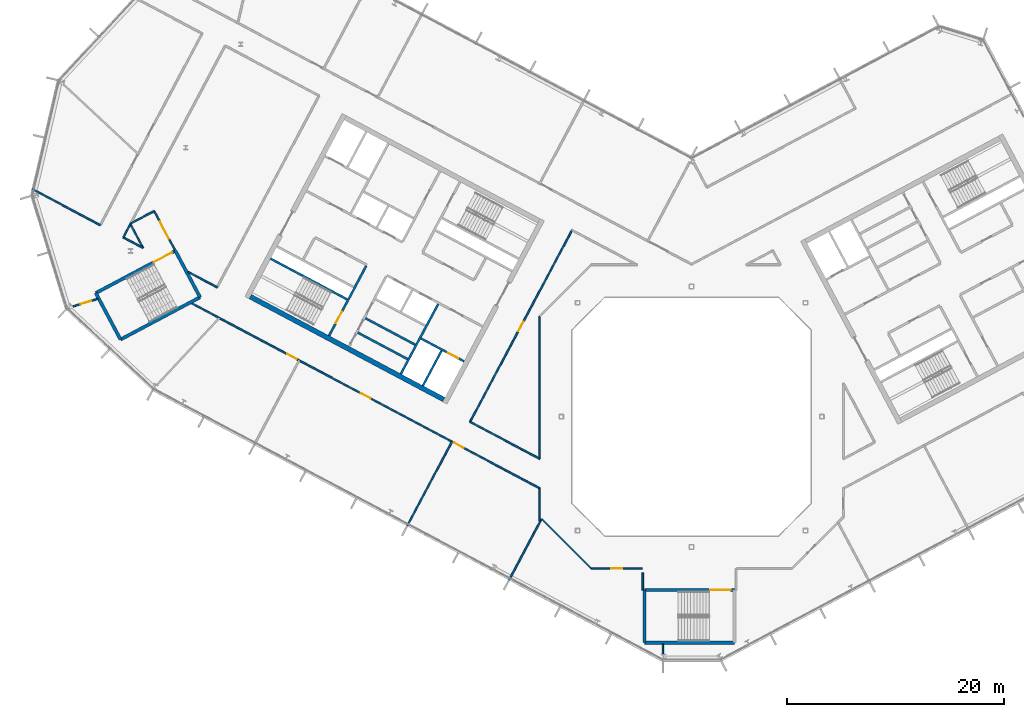
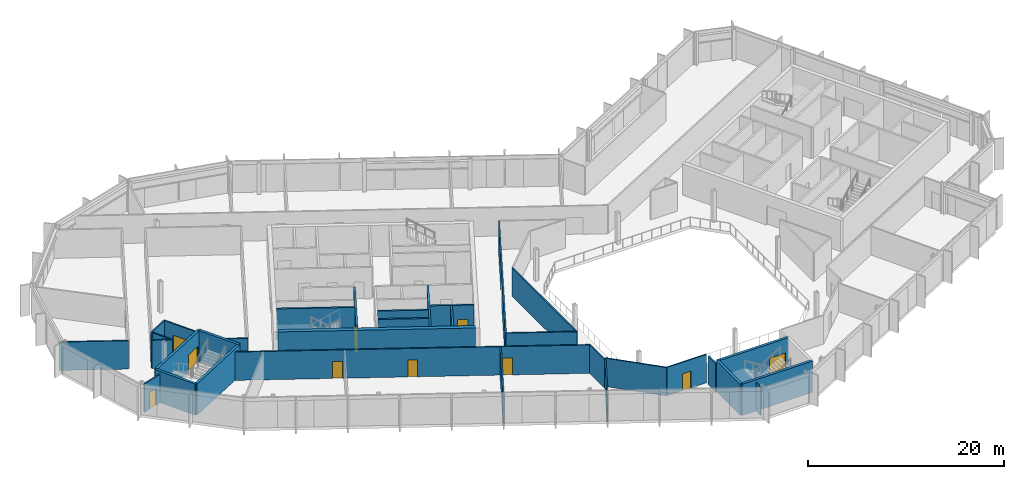
# One storey, part 13 of 26: 34 walls, 11 doors, 11 openings.
"""IFC4 building model written with IfcOpenShell, lengths in metres."""

from ifc_helpers import new_model, si_unit, direction, frame, frame_2d, origin, place, context, subcontext, project, spatial, rectangle, extrude, material, layer, layer_set, type_object, element, fill, save


model = new_model("IFC4")

# Units and contexts
model_context = context("Model", 3, precision=1e-05, world=origin(), true_north=direction((0.0, 1.0)))
body_context = subcontext(model_context, "Body", "Model", "MODEL_VIEW")
ifc_project = project(units=[si_unit("LENGTHUNIT", "METRE"), si_unit("AREAUNIT", "SQUARE_METRE"), si_unit("VOLUMEUNIT", "CUBIC_METRE"), si_unit("PLANEANGLEUNIT", "RADIAN"), si_unit("MASSUNIT", "GRAM", prefix="KILO")], contexts=[model_context])

# Site, building, storey
site_placement = place(None, origin())
site = spatial("IfcSite", under=ifc_project, at=site_placement, CompositionType="ELEMENT")
building_placement = place(site_placement, origin())
building = spatial("IfcBuilding", under=site, at=building_placement, Name="Cormorant Relay Tower", CompositionType="ELEMENT")
storey_placement = place(building_placement, frame((0.0, 0.0, 269.699951171875)))
storey = spatial("IfcBuildingStorey", under=building, at=storey_placement, Name="L60", CompositionType="ELEMENT", Elevation=269.699951171875)

# Walls
ifc_material_1 = material(Name="Concrete 40 MPa", Category="concrete")
ifc_layer_1 = layer(ifc_material_1, 0.199951171875)
ifc_layer_set_1 = layer_set([ifc_layer_1], Name="Core internal wall 200")
wall_type_1 = type_object("IfcWallType", Name="Core internal wall 200", PredefinedType="SOLIDWALL", material=ifc_layer_set_1)
for number, where, z_axis, x_axis, name in (
    (1, (-25.46728515625, 6.632568359375, 0.0), (0.0, 0.0, 1.0), (-0.882953967957, 0.469459572775, 0.0), "L60 core A shaft and room wall"),
    (2, (-26.17138671875, 5.30810546875, 0.0), (0.0, 0.0, 1.0), (-0.882953967957, 0.469459572775, 0.0), "L60 core A shaft and room wall"),
):
    element("IfcWall", number, at=place(storey_placement, frame(where, z_axis=z_axis, x_axis=x_axis)), inside=storey, type_object=wall_type_1, Name=name, PredefinedType="SOLIDWALL", context=body_context, shape_type="SweptSolid", body=[
        extrude(rectangle(XDim=5.199951171875, YDim=0.199951171875, at=frame_2d((2.60009765625, 0.0))), origin(), (0.0, 0.0, 1.0), 3.900146484375),
    ])
ifc_material_2 = material(Name="Concrete 50 MPa", Category="concrete")
ifc_layer_2 = layer(ifc_material_2, 0.199951171875)
ifc_layer_set_2 = layer_set([ifc_layer_2], Name="Core shaft wall 200")
wall_type_2 = type_object("IfcWallType", Name="Core shaft wall 200", PredefinedType="SHEAR", material=ifc_layer_set_2)
wall_1_placement = place(storey_placement, frame((-23.04296875, 6.07958984375, 0.0), z_axis=(0.0, 0.0, 1.0), x_axis=(-0.469494272526, -0.882935517501, 0.0)))
element("IfcWall", 3, at=wall_1_placement, inside=storey, type_object=wall_type_2, Name="L60 core A shaft wall", PredefinedType="SHEAR", context=body_context, shape_type="SweptSolid", body=[
    extrude(rectangle(XDim=3.64990234375, YDim=0.199951171875, at=frame_2d((1.824951171875, 0.0))), origin(), (0.0, 0.0, 1.0), 3.900146484375),
])
wall_2_placement = place(storey_placement, frame((-23.360107421875, 10.38232421875, 0.0), z_axis=(0.0, 0.0, 1.0), x_axis=(-0.469480409012, -0.88294288918, 0.0)))
element("IfcWall", 4, at=wall_2_placement, inside=storey, type_object=wall_type_2, Name="L60 core A shaft wall", PredefinedType="SHEAR", context=body_context, shape_type="SweptSolid", body=[
    extrude(rectangle(XDim=7.300048828125, YDim=0.199951171875, at=frame_2d((3.64990234375, 0.0))), origin(), (0.0, 0.0, 1.0), 3.900146484375),
])

# Wall, opening, door
wall_3_placement = place(storey_placement, frame((-29.982421875, 13.9033203125, 0.0), z_axis=(0.0, 0.0, 1.0), x_axis=(-0.469454336211, -0.882956752176, 0.0)))
wall_3 = element("IfcWall", 5, at=wall_3_placement, inside=storey, type_object=wall_type_2, Name="L60 core A shaft wall", PredefinedType="SHEAR", context=body_context, shape_type="SweptSolid", body=[
    extrude(rectangle(XDim=7.300048828125, YDim=0.199951171875, at=frame_2d((3.64990234375, 0.0))), origin(), (0.0, 0.0, 1.0), 3.900146484375),
])
opening_1_placement = place(wall_3_placement, frame((4.800048828125, 0.0, 0.0)))
opening_1 = element("IfcOpeningElement", 6, at=opening_1_placement, cuts=wall_3, Name="Opening CDB-039", PredefinedType="OPENING", context=body_context, shape_type="SweptSolid", body=[
    extrude(rectangle(XDim=1.199951171875, YDim=2.10009765625, at=frame_2d((0.60009765625, 1.050048828125))), frame((0.0, 0.10986328125, 0.0), z_axis=(0.0, -1.0, 0.0), x_axis=(1.0, 0.0, 0.0)), (0.0, 0.0, 1.0), 0.219970703125),
])
ifc_material_3 = material(Name="Steel fire door", Category="steel")
door_type_1 = type_object("IfcDoorType", Name="Core stair door 1200x2100", OperationType="SINGLE_SWING_LEFT", PredefinedType="DOOR", material=ifc_material_3)
door_1_placement = place(opening_1_placement, frame((1.199951171875, 0.0, 0.0), z_axis=(0.0, 0.0, 1.0), x_axis=(-1.0, 0.0, 0.0)))
door_1 = element("IfcDoor", 7, at=door_1_placement, inside=storey, type_object=door_type_1, Name="Core stair door 1200x2100", OperationType="SINGLE_SWING_RIGHT", OverallHeight=2.10009765625, OverallWidth=1.199951171875, PredefinedType="DOOR", context=body_context, shape_type="SweptSolid", body=[
    extrude(rectangle(XDim=1.199951171875, YDim=2.10009765625, at=frame_2d((0.60009765625, 1.050048828125))), frame((0.0, 0.02490234375, 0.0), z_axis=(0.0, -1.0, 0.0), x_axis=(1.0, 0.0, 0.0)), (0.0, 0.0, 1.0), 0.050048828125),
])
fill(opening_1, door_1)

wall_4_placement = place(storey_placement, frame((-20.96533203125, 5.088134765625, 0.0), z_axis=(0.0, 0.0, 1.0), x_axis=(-0.882925986334, 0.469512196493, 0.0)))
wall_4 = element("IfcWall", 8, at=wall_4_placement, inside=storey, type_object=wall_type_2, Name="L60 core A shaft wall", PredefinedType="SHEAR", context=body_context, shape_type="SweptSolid", body=[
    extrude(rectangle(XDim=4.5, YDim=0.199951171875, at=frame_2d((2.25, 0.0))), origin(), (0.0, 0.0, 1.0), 3.900146484375),
])
opening_2_placement = place(wall_4_placement, frame((0.60009765625, 0.0, 0.0)))
opening_2 = element("IfcOpeningElement", 9, at=opening_2_placement, cuts=wall_4, Name="Opening LD1-063", PredefinedType="OPENING", context=body_context, shape_type="SweptSolid", body=[
    extrude(rectangle(XDim=1.10009765625, YDim=2.10009765625, at=frame_2d((0.550048828125, 1.050048828125))), frame((0.0, 0.10986328125, 0.0), z_axis=(0.0, -1.0, 0.0), x_axis=(1.0, 0.0, 0.0)), (0.0, 0.0, 1.0), 0.219970703125),
])
ifc_material_4 = material(Name="Stainless steel 316", Category="steel")
door_type_2 = type_object("IfcDoorType", Name="Lift landing door 1100x2100", OperationType="DOUBLE_DOOR_SLIDING", PredefinedType="DOOR", material=ifc_material_4)
door_2_placement = place(opening_2_placement, origin())
door_2 = element("IfcDoor", 10, at=door_2_placement, inside=storey, type_object=door_type_2, Name="FF1 landing door", OperationType="DOUBLE_DOOR_SLIDING", OverallHeight=2.10009765625, OverallWidth=1.10009765625, PredefinedType="DOOR", context=body_context, shape_type="SweptSolid", body=[
    extrude(rectangle(XDim=1.10009765625, YDim=2.10009765625, at=frame_2d((0.550048828125, 1.050048828125))), frame((0.0, 0.02490234375, 0.0), z_axis=(0.0, -1.0, 0.0), x_axis=(1.0, 0.0, 0.0)), (0.0, 0.0, 1.0), 0.050048828125),
])
fill(opening_2, door_2)

# Walls
wall_5_placement = place(storey_placement, frame((-31.7373046875, 10.815673828125, 0.0), z_axis=(0.0, 0.0, 1.0), x_axis=(-0.882940221191, 0.469485426614, 0.0)))
element("IfcWall", 11, at=wall_5_placement, inside=storey, type_object=wall_type_2, Name="L60 core A shaft wall", PredefinedType="SHEAR", context=body_context, shape_type="SweptSolid", body=[
    extrude(rectangle(XDim=8.0, YDim=0.199951171875, at=frame_2d((4.0, 0.0))), origin(), (0.0, 0.0, 1.0), 3.900146484375),
])
ifc_material_5 = material(Name="Concrete 50 MPa", Category="concrete")
ifc_layer_3 = layer(ifc_material_5, 0.449951171875)
ifc_layer_set_3 = layer_set([ifc_layer_3], Name="Core wall 450")
wall_type_3 = type_object("IfcWallType", Name="Core wall 450", PredefinedType="SHEAR", material=ifc_layer_set_3)
wall_6_placement = place(storey_placement, frame((-22.83154296875, 1.578369140625, 0.0), z_axis=(0.0, 0.0, 1.0), x_axis=(-0.88294509198, 0.469476266226, 0.0)))
element("IfcWall", 12, at=wall_6_placement, inside=storey, type_object=wall_type_3, Name="L60 core A wall", PredefinedType="SHEAR", context=body_context, shape_type="SweptSolid", body=[
    extrude(rectangle(XDim=20.199951171875, YDim=0.449951171875, at=frame_2d((10.10009765625, 0.0))), origin(), (0.0, 0.0, 1.0), 3.900146484375),
])
ifc_material_6 = material(Name="Gypsum board fire partition")
ifc_layer_4 = layer(ifc_material_6, 0.14990234375)
ifc_layer_set_4 = layer_set([ifc_layer_4], Name="Corridor partition 150 EI 60")
wall_type_4 = type_object("IfcWallType", Name="Corridor partition 150 EI 60", PredefinedType="PARTITIONING", material=ifc_layer_set_4)
wall_7_placement = place(storey_placement, frame((-54.492919921875, 17.64892578125, 0.0), z_axis=(0.0, 0.0, 1.0), x_axis=(-0.882938254124, 0.469489125971, 0.0)))
element("IfcWall", 13, at=wall_7_placement, inside=storey, type_object=wall_type_4, Name="wall/L60/part/004", PredefinedType="PARTITIONING", context=body_context, shape_type="SweptSolid", body=[
    extrude(rectangle(XDim=7.127197265625, YDim=0.14990234375, at=frame_2d((3.5634765625, 0.0))), origin(), (0.0, 0.0, 1.0), 3.5400390625),
])

# Wall, opening, door
wall_8_placement = place(storey_placement, frame((-54.73193359375, 10.85693359375, 0.0), z_axis=(0.0, 0.0, 1.0), x_axis=(-0.956231519395, -0.292611143525, 0.0)))
wall_8 = element("IfcWall", 14, at=wall_8_placement, inside=storey, type_object=wall_type_4, Name="wall/L60/part/005", PredefinedType="PARTITIONING", context=body_context, shape_type="SweptSolid", body=[
    extrude(rectangle(XDim=2.385498046875, YDim=0.14990234375, at=frame_2d((1.19287109375, 0.0))), origin(), (0.0, 0.0, 1.0), 3.5400390625),
])
opening_3_placement = place(wall_8_placement, frame((0.64990234375, 0.0, 0.0)))
opening_3 = element("IfcOpeningElement", 15, at=opening_3_placement, cuts=wall_8, Name="Opening DS-205", PredefinedType="OPENING", context=body_context, shape_type="SweptSolid", body=[
    extrude(rectangle(XDim=1.0, YDim=2.10009765625, at=frame_2d((0.5, 1.050048828125))), frame((0.0, 0.0849609375, 0.0), z_axis=(0.0, -1.0, 0.0), x_axis=(1.0, 0.0, 0.0)), (0.0, 0.0, 1.0), 0.169921875),
])
ifc_material_7 = material(Name="Timber door leaf", Category="wood")
door_type_3 = type_object("IfcDoorType", Name="Suite door 1000x2100", OperationType="SINGLE_SWING_LEFT", PredefinedType="DOOR", material=ifc_material_7)
door_3_placement = place(opening_3_placement, origin())
door_3 = element("IfcDoor", 16, at=door_3_placement, inside=storey, type_object=door_type_3, Name="door/L60/008", OperationType="SINGLE_SWING_LEFT", OverallHeight=2.10009765625, OverallWidth=1.0, PredefinedType="DOOR", context=body_context, shape_type="SweptSolid", body=[
    extrude(rectangle(XDim=1.0, YDim=2.10009765625, at=frame_2d((0.5, 1.050048828125))), frame((0.0, 0.02490234375, 0.0), z_axis=(0.0, -1.0, 0.0), x_axis=(1.0, 0.0, 0.0)), (0.0, 0.0, 1.0), 0.050048828125),
])
fill(opening_3, door_3)

wall_9_placement = place(storey_placement, frame((-47.62109375, 15.3779296875, 0.0), z_axis=(0.0, 0.0, 1.0), x_axis=(-0.469542997944, 0.882909606404, 0.0)))
wall_9 = element("IfcWall", 17, at=wall_9_placement, inside=storey, type_object=wall_type_4, Name="wall/L60/part/010", PredefinedType="PARTITIONING", context=body_context, shape_type="SweptSolid", body=[
    extrude(rectangle(XDim=4.050537109375, YDim=0.14990234375, at=frame_2d((2.025390625, 0.0))), origin(), (0.0, 0.0, 1.0), 3.5400390625),
])
opening_4_placement = place(wall_9_placement, frame((1.14990234375, 0.0, 0.0)))
opening_4 = element("IfcOpeningElement", 18, at=opening_4_placement, cuts=wall_9, Name="Opening DD-035", PredefinedType="OPENING", context=body_context, shape_type="SweptSolid", body=[
    extrude(rectangle(XDim=1.800048828125, YDim=2.10009765625, at=frame_2d((0.89990234375, 1.050048828125))), frame((0.0, 0.0849609375, 0.0), z_axis=(0.0, -1.0, 0.0), x_axis=(1.0, 0.0, 0.0)), (0.0, 0.0, 1.0), 0.169921875),
])
ifc_material_8 = material(Name="Timber door leaf", Category="wood")
door_type_4 = type_object("IfcDoorType", Name="Suite double door 1800x2100", OperationType="DOUBLE_DOOR_SINGLE_SWING", PredefinedType="DOOR", material=ifc_material_8)
door_4_placement = place(opening_4_placement, frame((1.800048828125, 0.0, 0.0), z_axis=(0.0, 0.0, 1.0), x_axis=(-1.0, 0.0, 0.0)))
door_4 = element("IfcDoor", 19, at=door_4_placement, inside=storey, type_object=door_type_4, Name="door/L60/003", OperationType="DOUBLE_DOOR_SINGLE_SWING", OverallHeight=2.10009765625, OverallWidth=1.800048828125, PredefinedType="DOOR", context=body_context, shape_type="SweptSolid", body=[
    extrude(rectangle(XDim=1.800048828125, YDim=2.10009765625, at=frame_2d((0.89990234375, 1.050048828125))), frame((0.0, 0.02490234375, 0.0), z_axis=(0.0, -1.0, 0.0), x_axis=(1.0, 0.0, 0.0)), (0.0, 0.0, 1.0), 0.050048828125),
])
fill(opening_4, door_4)

# Walls
wall_10_placement = place(storey_placement, frame((-49.52294921875, 18.9541015625, 0.0), z_axis=(0.0, 0.0, 1.0), x_axis=(-0.882767334528, -0.469810422501, 0.0)))
element("IfcWall", 20, at=wall_10_placement, inside=storey, type_object=wall_type_4, Name="wall/L60/part/011", PredefinedType="PARTITIONING", context=body_context, shape_type="SweptSolid", body=[
    extrude(rectangle(XDim=2.460693359375, YDim=0.14990234375, at=frame_2d((1.23046875, 0.0))), origin(), (0.0, 0.0, 1.0), 3.5400390625),
])
wall_11_placement = place(storey_placement, frame((-43.720947265625, 11.9208984375, 0.0), z_axis=(0.0, 0.0, 1.0), x_axis=(-0.882959580004, 0.46944901755, 0.0)))
element("IfcWall", 21, at=wall_11_placement, inside=storey, type_object=wall_type_4, Name="wall/L60/part/015", PredefinedType="PARTITIONING", context=body_context, shape_type="SweptSolid", body=[
    extrude(rectangle(XDim=3.03759765625, YDim=0.14990234375, at=frame_2d((1.518798828125, 0.0))), origin(), (0.0, 0.0, 1.0), 3.5400390625),
])

# Wall, openings, doors
wall_12_placement = place(storey_placement, frame((-14.0, -6.60009765625, 0.0), z_axis=(0.0, 0.0, 1.0), x_axis=(-0.88294319167, 0.469479840125, 0.0)))
wall_12 = element("IfcWall", 22, at=wall_12_placement, inside=storey, type_object=wall_type_4, Name="wall/L60/part/016", PredefinedType="PARTITIONING", context=body_context, shape_type="SweptSolid", body=[
    extrude(rectangle(XDim=36.344482421875, YDim=0.14990234375, at=frame_2d((18.17236328125, 0.0))), origin(), (0.0, 0.0, 1.0), 3.5400390625),
])
opening_5_placement = place(wall_12_placement, frame((25.35009765625, 0.0, 0.0)))
opening_5 = element("IfcOpeningElement", 23, at=opening_5_placement, cuts=wall_12, Name="Opening DS-206", PredefinedType="OPENING", context=body_context, shape_type="SweptSolid", body=[
    extrude(rectangle(XDim=1.0, YDim=2.10009765625, at=frame_2d((0.5, 1.050048828125))), frame((0.0, 0.0849609375, 0.0), z_axis=(0.0, -1.0, 0.0), x_axis=(1.0, 0.0, 0.0)), (0.0, 0.0, 1.0), 0.169921875),
])
opening_6_placement = place(wall_12_placement, frame((17.64990234375, 0.0, 0.0)))
opening_6 = element("IfcOpeningElement", 24, at=opening_6_placement, cuts=wall_12, Name="Opening DS-207", PredefinedType="OPENING", context=body_context, shape_type="SweptSolid", body=[
    extrude(rectangle(XDim=1.0, YDim=2.10009765625, at=frame_2d((0.5, 1.050048828125))), frame((0.0, 0.0849609375, 0.0), z_axis=(0.0, -1.0, 0.0), x_axis=(1.0, 0.0, 0.0)), (0.0, 0.0, 1.0), 0.169921875),
])
opening_7_placement = place(wall_12_placement, frame((7.949951171875, 0.0, 0.0)))
opening_7 = element("IfcOpeningElement", 25, at=opening_7_placement, cuts=wall_12, Name="Opening DS-208", PredefinedType="OPENING", context=body_context, shape_type="SweptSolid", body=[
    extrude(rectangle(XDim=1.0, YDim=2.10009765625, at=frame_2d((0.5, 1.050048828125))), frame((0.0, 0.0849609375, 0.0), z_axis=(0.0, -1.0, 0.0), x_axis=(1.0, 0.0, 0.0)), (0.0, 0.0, 1.0), 0.169921875),
])
door_5_placement = place(opening_5_placement, origin())
door_5 = element("IfcDoor", 26, at=door_5_placement, inside=storey, type_object=door_type_3, Name="door/L60/009", OperationType="SINGLE_SWING_LEFT", OverallHeight=2.10009765625, OverallWidth=1.0, PredefinedType="DOOR", context=body_context, shape_type="SweptSolid", body=[
    extrude(rectangle(XDim=1.0, YDim=2.10009765625, at=frame_2d((0.5, 1.050048828125))), frame((0.0, 0.02490234375, 0.0), z_axis=(0.0, -1.0, 0.0), x_axis=(1.0, 0.0, 0.0)), (0.0, 0.0, 1.0), 0.050048828125),
])
fill(opening_5, door_5)
door_6_placement = place(opening_6_placement, origin())
door_6 = element("IfcDoor", 27, at=door_6_placement, inside=storey, type_object=door_type_3, Name="door/L60/010", OperationType="SINGLE_SWING_LEFT", OverallHeight=2.10009765625, OverallWidth=1.0, PredefinedType="DOOR", context=body_context, shape_type="SweptSolid", body=[
    extrude(rectangle(XDim=1.0, YDim=2.10009765625, at=frame_2d((0.5, 1.050048828125))), frame((0.0, 0.02490234375, 0.0), z_axis=(0.0, -1.0, 0.0), x_axis=(1.0, 0.0, 0.0)), (0.0, 0.0, 1.0), 0.050048828125),
])
fill(opening_6, door_6)
door_7_placement = place(opening_7_placement, origin())
door_7 = element("IfcDoor", 28, at=door_7_placement, inside=storey, type_object=door_type_3, Name="door/L60/011", OperationType="SINGLE_SWING_RIGHT", OverallHeight=2.10009765625, OverallWidth=1.0, PredefinedType="DOOR", context=body_context, shape_type="SweptSolid", body=[
    extrude(rectangle(XDim=1.0, YDim=2.10009765625, at=frame_2d((0.5, 1.050048828125))), frame((0.0, 0.02490234375, 0.0), z_axis=(0.0, -1.0, 0.0), x_axis=(1.0, 0.0, 0.0)), (0.0, 0.0, 1.0), 0.050048828125),
])
fill(opening_7, door_7)

# Wall
wall_13_placement = place(storey_placement, frame((-14.0, -9.639892578125, 0.0), z_axis=(0.0, 0.0, 1.0), x_axis=(0.0, 1.0, 0.0)))
element("IfcWall", 29, at=wall_13_placement, inside=storey, type_object=wall_type_4, Name="wall/L60/part/023", PredefinedType="PARTITIONING", context=body_context, shape_type="SweptSolid", body=[
    extrude(rectangle(XDim=3.039794921875, YDim=0.14990234375, at=frame_2d((1.52001953125, 0.0))), origin(), (0.0, 0.0, 1.0), 3.5400390625),
])

# Wall, opening, door
wall_14_placement = place(storey_placement, frame((-4.5458984375, -14.0, 0.0), z_axis=(0.0, 0.0, 1.0), x_axis=(-1.0, 0.0, 0.0)))
wall_14 = element("IfcWall", 30, at=wall_14_placement, inside=storey, type_object=wall_type_4, Name="wall/L60/part/024", PredefinedType="PARTITIONING", context=body_context, shape_type="SweptSolid", body=[
    extrude(rectangle(XDim=4.697021484375, YDim=0.14990234375, at=frame_2d((2.3486328125, 0.0))), origin(), (0.0, 0.0, 1.0), 3.5400390625),
])
opening_8_placement = place(wall_14_placement, frame((1.85009765625, 0.0, 0.0)))
opening_8 = element("IfcOpeningElement", 31, at=opening_8_placement, cuts=wall_14, Name="Opening DS-209", PredefinedType="OPENING", context=body_context, shape_type="SweptSolid", body=[
    extrude(rectangle(XDim=1.0, YDim=2.10009765625, at=frame_2d((0.5, 1.050048828125))), frame((0.0, 0.0849609375, 0.0), z_axis=(0.0, -1.0, 0.0), x_axis=(1.0, 0.0, 0.0)), (0.0, 0.0, 1.0), 0.169921875),
])
door_8_placement = place(opening_8_placement, origin())
door_8 = element("IfcDoor", 32, at=door_8_placement, inside=storey, type_object=door_type_3, Name="door/L60/012", OperationType="SINGLE_SWING_LEFT", OverallHeight=2.10009765625, OverallWidth=1.0, PredefinedType="DOOR", context=body_context, shape_type="SweptSolid", body=[
    extrude(rectangle(XDim=1.0, YDim=2.10009765625, at=frame_2d((0.5, 1.050048828125))), frame((0.0, 0.02490234375, 0.0), z_axis=(0.0, -1.0, 0.0), x_axis=(1.0, 0.0, 0.0)), (0.0, 0.0, 1.0), 0.050048828125),
])
fill(opening_8, door_8)

# Walls
wall_15_placement = place(storey_placement, frame((-9.242919921875, -14.0, 0.0), z_axis=(0.0, 0.0, 1.0), x_axis=(-0.70703108598, 0.707182468291, 0.0)))
element("IfcWall", 33, at=wall_15_placement, inside=storey, type_object=wall_type_4, Name="wall/L60/part/025", PredefinedType="PARTITIONING", context=body_context, shape_type="SweptSolid", body=[
    extrude(rectangle(XDim=6.450927734375, YDim=0.14990234375, at=frame_2d((3.2255859375, 0.0))), origin(), (0.0, 0.0, 1.0), 3.5400390625),
])
wall_16_placement = place(storey_placement, frame((-4.5, -15.97509765625, 0.0), z_axis=(0.0, 0.0, 1.0), x_axis=(0.0, 1.0, 0.0)))
element("IfcWall", 34, at=wall_16_placement, inside=storey, type_object=wall_type_4, Name="wall/L60/part/027", PredefinedType="PARTITIONING", context=body_context, shape_type="SweptSolid", body=[
    extrude(rectangle(XDim=1.5810546875, YDim=0.14990234375, at=frame_2d((0.79052734375, 0.0))), origin(), (0.0, 0.0, 1.0), 3.5400390625),
])
wall_17_placement = place(storey_placement, frame((-50.5439453125, 15.549072265625, 0.0), z_axis=(0.0, 0.0, 1.0), x_axis=(-0.469183782948, 0.883100547967, 0.0)))
element("IfcWall", 35, at=wall_17_placement, inside=storey, type_object=wall_type_4, Name="wall/L60/part/041", PredefinedType="PARTITIONING", context=body_context, shape_type="SweptSolid", body=[
    extrude(rectangle(XDim=2.500244140625, YDim=0.14990234375, at=frame_2d((1.25, 0.0))), origin(), (0.0, 0.0, 1.0), 3.5400390625),
])
wall_18_placement = place(storey_placement, frame((-51.717041015625, 17.757080078125, 0.0), z_axis=(0.0, 0.0, 1.0), x_axis=(-0.469618761384, -0.882869310236, 0.0)))
element("IfcWall", 36, at=wall_18_placement, inside=storey, type_object=wall_type_4, Name="wall/L60/part/042", PredefinedType="PARTITIONING", context=body_context, shape_type="SweptSolid", body=[
    extrude(rectangle(XDim=1.39892578125, YDim=0.14990234375, at=frame_2d((0.699462890625, 0.0))), origin(), (0.0, 0.0, 1.0), 3.5400390625),
])
wall_19_placement = place(storey_placement, frame((-52.3740234375, 16.52197265625, 0.0), z_axis=(0.0, 0.0, 1.0), x_axis=(0.882981472085, -0.469407839682, 0.0)))
element("IfcWall", 37, at=wall_19_placement, inside=storey, type_object=wall_type_4, Name="wall/L60/part/043", PredefinedType="PARTITIONING", context=body_context, shape_type="SweptSolid", body=[
    extrude(rectangle(XDim=2.072509765625, YDim=0.14990234375, at=frame_2d((1.0361328125, 0.0))), origin(), (0.0, 0.0, 1.0), 3.5400390625),
])

# Wall, opening, door
wall_20_placement = place(storey_placement, frame((-20.410888671875, -0.472900390625, 0.0), z_axis=(0.0, 0.0, 1.0), x_axis=(0.469451816494, 0.882958091865, 0.0)))
wall_20 = element("IfcWall", 38, at=wall_20_placement, inside=storey, type_object=wall_type_4, Name="wall/L60/part/044", PredefinedType="PARTITIONING", context=body_context, shape_type="SweptSolid", body=[
    extrude(rectangle(XDim=19.999755859375, YDim=0.14990234375, at=frame_2d((10.0, 0.0))), origin(), (0.0, 0.0, 1.0), 3.5400390625),
])
opening_9_placement = place(wall_20_placement, frame((9.449951171875, 0.0, 0.0)))
opening_9 = element("IfcOpeningElement", 39, at=opening_9_placement, cuts=wall_20, Name="Opening DS-132", PredefinedType="OPENING", context=body_context, shape_type="SweptSolid", body=[
    extrude(rectangle(XDim=1.0, YDim=2.10009765625, at=frame_2d((0.5, 1.050048828125))), frame((0.0, 0.0849609375, 0.0), z_axis=(0.0, -1.0, 0.0), x_axis=(1.0, 0.0, 0.0)), (0.0, 0.0, 1.0), 0.169921875),
])
door_9_placement = place(opening_9_placement, frame((1.0, 0.0, 0.0), z_axis=(0.0, 0.0, 1.0), x_axis=(-1.0, 0.0, 0.0)))
door_9 = element("IfcDoor", 40, at=door_9_placement, inside=storey, type_object=door_type_3, Name="door/L60/004", OperationType="SINGLE_SWING_LEFT", OverallHeight=2.10009765625, OverallWidth=1.0, PredefinedType="DOOR", context=body_context, shape_type="SweptSolid", body=[
    extrude(rectangle(XDim=1.0, YDim=2.10009765625, at=frame_2d((0.5, 1.050048828125))), frame((0.0, 0.02490234375, 0.0), z_axis=(0.0, -1.0, 0.0), x_axis=(1.0, 0.0, 0.0)), (0.0, 0.0, 1.0), 0.050048828125),
])
fill(opening_9, door_9)

# Walls
wall_21_placement = place(storey_placement, frame((-14.0, 9.242919921875, 0.0), z_axis=(0.0, 0.0, 1.0), x_axis=(0.0, -1.0, 0.0)))
element("IfcWall", 41, at=wall_21_placement, inside=storey, type_object=wall_type_4, Name="wall/L60/part/048", PredefinedType="PARTITIONING", context=body_context, shape_type="SweptSolid", body=[
    extrude(rectangle(XDim=13.125, YDim=0.14990234375, at=frame_2d((6.5625, 0.0))), origin(), (0.0, 0.0, 1.0), 3.5400390625),
])
wall_22_placement = place(storey_placement, frame((-14.0, -3.882080078125, 0.0), z_axis=(0.0, 0.0, 1.0), x_axis=(-0.882921917986, 0.469519847014, 0.0)))
element("IfcWall", 42, at=wall_22_placement, inside=storey, type_object=wall_type_4, Name="wall/L60/part/049", PredefinedType="PARTITIONING", context=body_context, shape_type="SweptSolid", body=[
    extrude(rectangle(XDim=7.260986328125, YDim=0.14990234375, at=frame_2d((3.63037109375, 0.0))), origin(), (0.0, 0.0, 1.0), 3.5400390625),
])
ifc_material_9 = material(Name="Concrete 50 MPa", Category="concrete")
ifc_layer_5 = layer(ifc_material_9, 0.300048828125)
ifc_layer_set_5 = layer_set([ifc_layer_5], Name="Remote stair wall 300")
wall_type_5 = type_object("IfcWallType", Name="Remote stair wall 300", PredefinedType="SHEAR", material=ifc_layer_set_5)
wall_23_placement = place(storey_placement, frame((3.949951171875, -20.824951171875, 0.0), z_axis=(0.0, 0.0, 1.0), x_axis=(-1.0, 0.0, 0.0)))
element("IfcWall", 43, at=wall_23_placement, inside=storey, type_object=wall_type_5, Name="L60 exit stair RK1 wall", PredefinedType="SHEAR", context=body_context, shape_type="SweptSolid", body=[
    extrude(rectangle(XDim=8.300048828125, YDim=0.300048828125, at=frame_2d((4.14990234375, 0.0))), origin(), (0.0, 0.0, 1.0), 3.900146484375),
])
wall_24_placement = place(storey_placement, frame((-4.35009765625, -20.824951171875, 0.0), z_axis=(0.0, 0.0, 1.0), x_axis=(0.0, 1.0, 0.0)))
element("IfcWall", 44, at=wall_24_placement, inside=storey, type_object=wall_type_5, Name="L60 exit stair RK1 wall", PredefinedType="SHEAR", context=body_context, shape_type="SweptSolid", body=[
    extrude(rectangle(XDim=4.849853515625, YDim=0.300048828125, at=frame_2d((2.4248046875, 0.0))), origin(), (0.0, 0.0, 1.0), 3.900146484375),
])

# Wall, opening, door
wall_25_placement = place(storey_placement, frame((-4.35009765625, -15.97509765625, 0.0), z_axis=(0.0, 0.0, 1.0), x_axis=(1.0, 0.0, 0.0)))
wall_25 = element("IfcWall", 45, at=wall_25_placement, inside=storey, type_object=wall_type_5, Name="L60 exit stair RK1 wall", PredefinedType="SHEAR", context=body_context, shape_type="SweptSolid", body=[
    extrude(rectangle(XDim=8.300048828125, YDim=0.300048828125, at=frame_2d((4.14990234375, 0.0))), origin(), (0.0, 0.0, 1.0), 3.900146484375),
])
opening_10_placement = place(wall_25_placement, frame((6.050048828125, 0.0, 0.0)))
opening_10 = element("IfcOpeningElement", 46, at=opening_10_placement, cuts=wall_25, Name="Opening CDE-014", PredefinedType="OPENING", context=body_context, shape_type="SweptSolid", body=[
    extrude(rectangle(XDim=1.89990234375, YDim=2.10009765625, at=frame_2d((0.949951171875, 1.050048828125))), frame((0.0, 0.159912109375, 0.0), z_axis=(0.0, -1.0, 0.0), x_axis=(1.0, 0.0, 0.0)), (0.0, 0.0, 1.0), 0.320068359375),
])
ifc_material_10 = material(Name="Steel fire door", Category="steel")
door_type_5 = type_object("IfcDoorType", Name="Remote stair door 1900x2100", OperationType="DOUBLE_DOOR_SINGLE_SWING", PredefinedType="DOOR", material=ifc_material_10)
door_10_placement = place(opening_10_placement, frame((1.89990234375, 0.0, 0.0), z_axis=(0.0, 0.0, 1.0), x_axis=(-1.0, 0.0, 0.0)))
door_10 = element("IfcDoor", 47, at=door_10_placement, inside=storey, type_object=door_type_5, Name="Exit stair RK1 door", OperationType="DOUBLE_DOOR_SINGLE_SWING", OverallHeight=2.10009765625, OverallWidth=1.89990234375, PredefinedType="DOOR", context=body_context, shape_type="SweptSolid", body=[
    extrude(rectangle(XDim=1.89990234375, YDim=2.10009765625, at=frame_2d((0.949951171875, 1.050048828125))), frame((0.0, 0.02490234375, 0.0), z_axis=(0.0, -1.0, 0.0), x_axis=(1.0, 0.0, 0.0)), (0.0, 0.0, 1.0), 0.050048828125),
])
fill(opening_10, door_10)

# Walls
wall_26_placement = place(storey_placement, frame((-47.57421875, 15.28955078125, 0.0), z_axis=(0.0, 0.0, 1.0), x_axis=(0.469443498566, -0.882962514297, 0.0)))
element("IfcWall", 48, at=wall_26_placement, inside=storey, type_object=wall_type_5, Name="L60 exit stair RP1 wall", PredefinedType="SHEAR", context=body_context, shape_type="SweptSolid", body=[
    extrude(rectangle(XDim=4.85009765625, YDim=0.300048828125, at=frame_2d((2.425048828125, 0.0))), origin(), (0.0, 0.0, 1.0), 3.900146484375),
])
wall_27_placement = place(storey_placement, frame((-45.29736328125, 11.007080078125, 0.0), z_axis=(0.0, 0.0, 1.0), x_axis=(-0.882951519127, -0.469464178475, 0.0)))
element("IfcWall", 49, at=wall_27_placement, inside=storey, type_object=wall_type_5, Name="L60 exit stair RP1 wall", PredefinedType="SHEAR", context=body_context, shape_type="SweptSolid", body=[
    extrude(rectangle(XDim=8.2998046875, YDim=0.300048828125, at=frame_2d((4.14990234375, 0.0))), origin(), (0.0, 0.0, 1.0), 3.900146484375),
])
wall_28_placement = place(storey_placement, frame((-52.625732421875, 7.110595703125, 0.0), z_axis=(0.0, 0.0, 1.0), x_axis=(-0.469464364128, 0.882951420416, 0.0)))
element("IfcWall", 50, at=wall_28_placement, inside=storey, type_object=wall_type_5, Name="L60 exit stair RP1 wall", PredefinedType="SHEAR", context=body_context, shape_type="SweptSolid", body=[
    extrude(rectangle(XDim=4.849853515625, YDim=0.300048828125, at=frame_2d((2.4248046875, 0.0))), origin(), (0.0, 0.0, 1.0), 3.900146484375),
])

# Wall, opening, door
wall_29_placement = place(storey_placement, frame((-54.902587890625, 11.392822265625, 0.0), z_axis=(0.0, 0.0, 1.0), x_axis=(0.882939326045, 0.469487110071, 0.0)))
wall_29 = element("IfcWall", 51, at=wall_29_placement, inside=storey, type_object=wall_type_5, Name="L60 exit stair RP1 wall", PredefinedType="SHEAR", context=body_context, shape_type="SweptSolid", body=[
    extrude(rectangle(XDim=8.300048828125, YDim=0.300048828125, at=frame_2d((4.14990234375, 0.0))), origin(), (0.0, 0.0, 1.0), 3.900146484375),
])
opening_11_placement = place(wall_29_placement, frame((6.050048828125, 0.0, 0.0)))
opening_11 = element("IfcOpeningElement", 52, at=opening_11_placement, cuts=wall_29, Name="Opening CDE-015", PredefinedType="OPENING", context=body_context, shape_type="SweptSolid", body=[
    extrude(rectangle(XDim=1.89990234375, YDim=2.10009765625, at=frame_2d((0.949951171875, 1.050048828125))), frame((0.0, 0.159912109375, 0.0), z_axis=(0.0, -1.0, 0.0), x_axis=(1.0, 0.0, 0.0)), (0.0, 0.0, 1.0), 0.320068359375),
])
door_11_placement = place(opening_11_placement, frame((1.89990234375, 0.0, 0.0), z_axis=(0.0, 0.0, 1.0), x_axis=(-1.0, 0.0, 0.0)))
door_11 = element("IfcDoor", 53, at=door_11_placement, inside=storey, type_object=door_type_5, Name="Exit stair RP1 door", OperationType="DOUBLE_DOOR_SINGLE_SWING", OverallHeight=2.10009765625, OverallWidth=1.89990234375, PredefinedType="DOOR", context=body_context, shape_type="SweptSolid", body=[
    extrude(rectangle(XDim=1.89990234375, YDim=2.10009765625, at=frame_2d((0.949951171875, 1.050048828125))), frame((0.0, 0.02490234375, 0.0), z_axis=(0.0, -1.0, 0.0), x_axis=(1.0, 0.0, 0.0)), (0.0, 0.0, 1.0), 0.050048828125),
])
fill(opening_11, door_11)

# Walls
ifc_material_11 = material(Name="Gypsum board partition")
ifc_layer_6 = layer(ifc_material_11, 0.14990234375)
ifc_layer_set_6 = layer_set([ifc_layer_6], Name="Tenant partition 150")
wall_type_6 = type_object("IfcWallType", Name="Tenant partition 150", PredefinedType="PARTITIONING", material=ifc_layer_set_6)
wall_30_placement = place(storey_placement, frame((-22.0830078125, -2.302001953125, 0.0), z_axis=(0.0, 0.0, 1.0), x_axis=(-0.469445946219, -0.882961212952, 0.0)))
element("IfcWall", 54, at=wall_30_placement, inside=storey, type_object=wall_type_6, Name="wall/L60/part/019", PredefinedType="PARTITIONING", context=body_context, shape_type="SweptSolid", body=[
    extrude(rectangle(XDim=8.800048828125, YDim=0.14990234375, at=frame_2d((4.39990234375, 0.0))), origin(), (0.0, 0.0, 1.0), 3.5400390625),
])
wall_31_placement = place(storey_placement, frame((-13.823974609375, -9.4189453125, 0.0), z_axis=(0.0, 0.0, 1.0), x_axis=(-0.469525578512, -0.882918870068, 0.0)))
element("IfcWall", 55, at=wall_31_placement, inside=storey, type_object=wall_type_6, Name="wall/L60/part/022", PredefinedType="PARTITIONING", context=body_context, shape_type="SweptSolid", body=[
    extrude(rectangle(XDim=6.3935546875, YDim=0.14990234375, at=frame_2d((3.19677734375, 0.0))), origin(), (0.0, 0.0, 1.0), 3.5400390625),
])
wall_32_placement = place(storey_placement, frame((-2.64892578125, -20.925048828125, 0.0), z_axis=(0.0, 0.0, 1.0), x_axis=(0.0, -1.0, 0.0)))
element("IfcWall", 56, at=wall_32_placement, inside=storey, type_object=wall_type_6, Name="wall/L60/part/028", PredefinedType="PARTITIONING", context=body_context, shape_type="SweptSolid", body=[
    extrude(rectangle(XDim=0.966064453125, YDim=0.14990234375, at=frame_2d((0.48291015625, 0.0))), origin(), (0.0, 0.0, 1.0), 3.5400390625),
])

save(model, "model.ifc")
